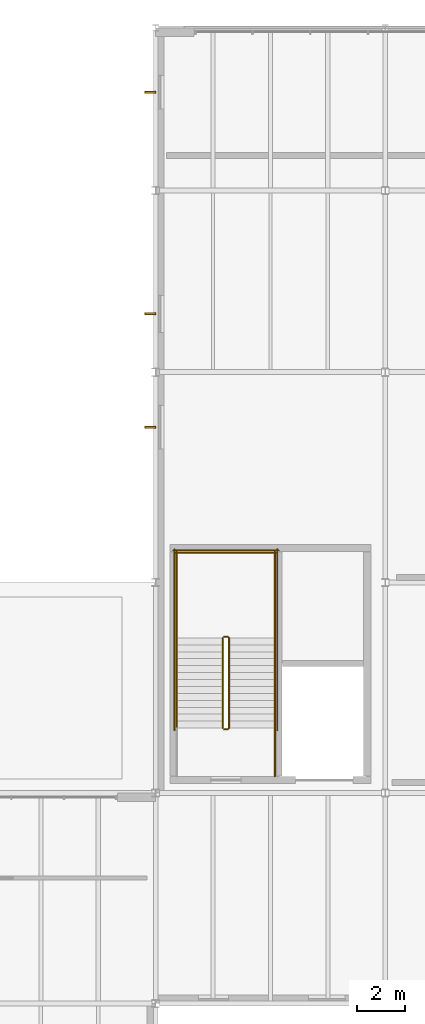
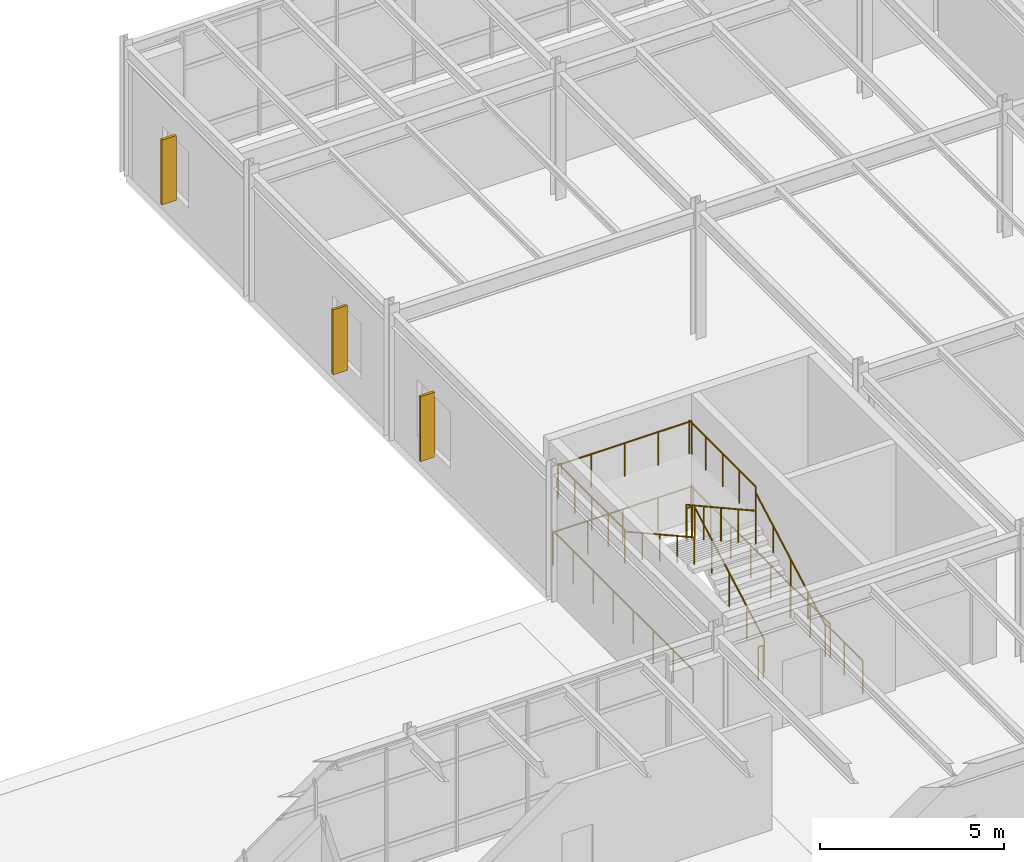
# One storey, part 65 of 69: 13 railings, 3 shading devices.
"""IFC4 building model written with IfcOpenShell, lengths in metres."""

from ifc_helpers import new_model, si_unit, direction, frame, origin, origin_2d, place, context, subcontext, project, spatial, rectangle, circle, extrude, material, layer, layer_set, type_object, element, save


model = new_model("IFC4")

# Units and contexts
model_context = context("Model", 3, precision=1e-05, world=origin(), true_north=direction((0.0, 1.0)))
body_context = subcontext(model_context, "Body", "Model", "MODEL_VIEW")
ifc_project = project(units=[si_unit("LENGTHUNIT", "METRE"), si_unit("AREAUNIT", "SQUARE_METRE"), si_unit("VOLUMEUNIT", "CUBIC_METRE"), si_unit("PLANEANGLEUNIT", "RADIAN"), si_unit("MASSUNIT", "GRAM", prefix="KILO")], contexts=[model_context])

# Site, building, storey
site_placement = place(None, origin())
site = spatial("IfcSite", under=ifc_project, at=site_placement, CompositionType="ELEMENT")
building_placement = place(site_placement, origin())
building = spatial("IfcBuilding", under=site, at=building_placement, Name="Sarnbrook Museum", CompositionType="ELEMENT")
storey_placement = place(building_placement, frame((0.0, 0.0, 14.60009765625)))
storey = spatial("IfcBuildingStorey", under=building, at=storey_placement, Name="L03", CompositionType="ELEMENT", Elevation=14.60009765625)

# Railings
ifc_material_1 = material(Name="Brushed Stainless Steel Grade 316", Category="steel")
ifc_layer_1 = layer(ifc_material_1, 0.050048828125)
ifc_layer_set_1 = layer_set([ifc_layer_1], Name="Brushed Stainless Steel Grade 316")
railing_type_1 = type_object("IfcRailingType", Name="Guard_Int1120", PredefinedType="BALUSTRADE", material=ifc_layer_set_1)
railing_1_placement = place(storey_placement, frame((45.469970703125, 85.919921875, 0.16064453125)))
element("IfcRailing", 1, at=railing_1_placement, inside=storey, type_object=railing_type_1, Name="L03 ST6 stair guard 1", PredefinedType="BALUSTRADE", context=body_context, shape_type="SweptSolid", body=[
    extrude(circle(Radius=0.02392578125, at=origin_2d()), frame((0.0, 0.0, 1.09619140625), z_axis=(0.0, 0.874659101714, 0.484738543742), x_axis=(-1.0, 0.0, 0.0)), (0.0, 0.0, 1.0), 4.310302734375),
    extrude(circle(Radius=0.02099609375, at=origin_2d()), origin(), (0.0, 0.0, 1.0), 1.072021484375),
    extrude(circle(Radius=0.02099609375, at=origin_2d()), frame((0.0, 0.9423828125, 0.5224609375)), (0.0, 0.0, 1.0), 1.072021484375),
    extrude(circle(Radius=0.02099609375, at=origin_2d()), frame((0.0, 1.885009765625, 1.044677734375)), (0.0, 0.0, 1.0), 1.072021484375),
    extrude(circle(Radius=0.02099609375, at=origin_2d()), frame((0.0, 2.82763671875, 1.56689453125)), (0.0, 0.0, 1.0), 1.072021484375),
    extrude(circle(Radius=0.02099609375, at=origin_2d()), frame((0.0, 3.77001953125, 2.08935546875)), (0.0, 0.0, 1.0), 1.072021484375),
])
railing_2_placement = place(storey_placement, frame((45.419921875, 89.739990234375, 2.25)))
element("IfcRailing", 2, at=railing_2_placement, inside=storey, type_object=railing_type_1, Name="L03 ST6 stair guard 2", PredefinedType="BALUSTRADE", context=body_context, shape_type="SweptSolid", body=[
    extrude(circle(Radius=0.02392578125, at=origin_2d()), frame((0.0, 0.0, 1.09619140625), z_axis=(-1.0, 0.0, 0.0), x_axis=(0.0, -1.0, 0.0)), (0.0, 0.0, 1.0), 0.159912109375),
    extrude(circle(Radius=0.02099609375, at=origin_2d()), origin(), (0.0, 0.0, 1.0), 1.072021484375),
    extrude(circle(Radius=0.02099609375, at=origin_2d()), frame((-0.159912109375, 0.0, 0.0)), (0.0, 0.0, 1.0), 1.072021484375),
])
for number, where, name in (
    (3, (47.389892578125, 89.68994140625, 2.25), "L03 ST6 stair guard 3"),
    (4, (43.2900390625, 89.68994140625, 2.25), "L03 ST6 stair guard 4"),
):
    element("IfcRailing", number, at=place(storey_placement, frame(where)), inside=storey, type_object=railing_type_1, Name=name, PredefinedType="BALUSTRADE", context=body_context, shape_type="SweptSolid", body=[
        extrude(circle(Radius=0.02392578125, at=origin_2d()), frame((0.0, 0.0, 1.09619140625), z_axis=(0.0, 1.0, 0.0), x_axis=(-1.0, 0.0, 0.0)), (0.0, 0.0, 1.0), 3.610107421875),
        extrude(circle(Radius=0.02099609375, at=origin_2d()), origin(), (0.0, 0.0, 1.0), 1.072021484375),
        extrude(circle(Radius=0.02099609375, at=origin_2d()), frame((0.0, 0.902587890625, 0.0)), (0.0, 0.0, 1.0), 1.072021484375),
        extrude(circle(Radius=0.02099609375, at=origin_2d()), frame((0.0, 1.80517578125, 0.0)), (0.0, 0.0, 1.0), 1.072021484375),
        extrude(circle(Radius=0.02099609375, at=origin_2d()), frame((0.0, 2.70751953125, 0.0)), (0.0, 0.0, 1.0), 1.072021484375),
        extrude(circle(Radius=0.02099609375, at=origin_2d()), frame((0.0, 3.610107421875, 0.0)), (0.0, 0.0, 1.0), 1.072021484375),
    ])
railing_3_placement = place(storey_placement, frame((47.43994140625, 93.25, 2.25)))
element("IfcRailing", 5, at=railing_3_placement, inside=storey, type_object=railing_type_1, Name="L03 ST6 stair guard 5", PredefinedType="BALUSTRADE", context=body_context, shape_type="SweptSolid", body=[
    extrude(circle(Radius=0.02392578125, at=origin_2d()), frame((0.0, 0.0, 1.09619140625), z_axis=(-1.0, 0.0, 0.0), x_axis=(0.0, -1.0, 0.0)), (0.0, 0.0, 1.0), 4.199951171875),
    extrude(circle(Radius=0.02099609375, at=origin_2d()), origin(), (0.0, 0.0, 1.0), 1.072021484375),
    extrude(circle(Radius=0.02099609375, at=origin_2d()), frame((-1.050048828125, 0.0, 0.0)), (0.0, 0.0, 1.0), 1.072021484375),
    extrude(circle(Radius=0.02099609375, at=origin_2d()), frame((-2.10009765625, 0.0, 0.0)), (0.0, 0.0, 1.0), 1.072021484375),
    extrude(circle(Radius=0.02099609375, at=origin_2d()), frame((-3.14990234375, 0.0, 0.0)), (0.0, 0.0, 1.0), 1.072021484375),
    extrude(circle(Radius=0.02099609375, at=origin_2d()), frame((-4.199951171875, 0.0, 0.0)), (0.0, 0.0, 1.0), 1.072021484375),
])
railing_4_placement = place(storey_placement, frame((45.2099609375, 89.68994140625, 2.41064453125)))
element("IfcRailing", 6, at=railing_4_placement, inside=storey, type_object=railing_type_1, Name="L03 ST6 stair guard 6", PredefinedType="BALUSTRADE", context=body_context, shape_type="SweptSolid", body=[
    extrude(circle(Radius=0.02392578125, at=origin_2d()), frame((0.0, 0.0, 1.09619140625), z_axis=(0.0, -0.874659101714, 0.484738543742), x_axis=(1.0, 0.0, 0.0)), (0.0, 0.0, 1.0), 4.310302734375),
    extrude(circle(Radius=0.02099609375, at=origin_2d()), origin(), (0.0, 0.0, 1.0), 1.072021484375),
    extrude(circle(Radius=0.02099609375, at=origin_2d()), frame((0.0, -0.9423828125, 0.5224609375)), (0.0, 0.0, 1.0), 1.072021484375),
    extrude(circle(Radius=0.02099609375, at=origin_2d()), frame((0.0, -1.885009765625, 1.044677734375)), (0.0, 0.0, 1.0), 1.072021484375),
    extrude(circle(Radius=0.02099609375, at=origin_2d()), frame((0.0, -2.82763671875, 1.56689453125)), (0.0, 0.0, 1.0), 1.072021484375),
    extrude(circle(Radius=0.02099609375, at=origin_2d()), frame((0.0, -3.77001953125, 2.08935546875)), (0.0, 0.0, 1.0), 1.072021484375),
])
railing_5_placement = place(storey_placement, frame((45.419921875, 85.8701171875, 0.0)))
element("IfcRailing", 7, at=railing_5_placement, inside=storey, type_object=railing_type_1, Name="L03 ST6 stair guard 7", PredefinedType="BALUSTRADE", context=body_context, shape_type="SweptSolid", body=[
    extrude(circle(Radius=0.02392578125, at=origin_2d()), frame((0.0, 0.0, 1.09619140625), z_axis=(-1.0, 0.0, 0.0), x_axis=(0.0, -1.0, 0.0)), (0.0, 0.0, 1.0), 0.159912109375),
    extrude(circle(Radius=0.02099609375, at=origin_2d()), origin(), (0.0, 0.0, 1.0), 1.072021484375),
    extrude(circle(Radius=0.02099609375, at=origin_2d()), frame((-0.159912109375, 0.0, 0.0)), (0.0, 0.0, 1.0), 1.072021484375),
])
railing_6_placement = place(storey_placement, frame((47.389892578125, 83.89990234375, 0.0)))
element("IfcRailing", 8, at=railing_6_placement, inside=storey, type_object=railing_type_1, Name="L03 ST6 stair guard 8", PredefinedType="BALUSTRADE", context=body_context, shape_type="SweptSolid", body=[
    extrude(circle(Radius=0.02392578125, at=origin_2d()), frame((0.0, 0.0, 1.09619140625), z_axis=(0.0, 1.0, 0.0), x_axis=(-1.0, 0.0, 0.0)), (0.0, 0.0, 1.0), 2.02001953125),
    extrude(circle(Radius=0.02099609375, at=origin_2d()), origin(), (0.0, 0.0, 1.0), 1.072021484375),
    extrude(circle(Radius=0.02099609375, at=origin_2d()), frame((0.0, 1.010009765625, 0.0)), (0.0, 0.0, 1.0), 1.072021484375),
    extrude(circle(Radius=0.02099609375, at=origin_2d()), frame((0.0, 2.02001953125, 0.0)), (0.0, 0.0, 1.0), 1.072021484375),
])
for number, where, name in (
    (9, (47.489990234375, 85.820068359375, 0.0), "L03 ST6 stair guard 10"),
    (10, (43.18994140625, 85.820068359375, 0.0), "L03 ST6 stair guard 11"),
):
    element("IfcRailing", number, at=place(storey_placement, frame(where)), inside=storey, type_object=railing_type_1, Name=name, PredefinedType="BALUSTRADE", context=body_context, shape_type="SweptSolid", body=[
        extrude(circle(Radius=0.02392578125, at=origin_2d()), frame((0.0, 0.0, 1.09619140625), z_axis=(0.0, 1.0, 0.0), x_axis=(-1.0, 0.0, 0.0)), (0.0, 0.0, 1.0), 7.579833984375),
        extrude(circle(Radius=0.02099609375, at=origin_2d()), origin(), (0.0, 0.0, 1.0), 1.072021484375),
        extrude(circle(Radius=0.02099609375, at=origin_2d()), frame((0.0, 1.082763671875, 0.0)), (0.0, 0.0, 1.0), 1.072021484375),
        extrude(circle(Radius=0.02099609375, at=origin_2d()), frame((0.0, 2.165771484375, 0.0)), (0.0, 0.0, 1.0), 1.072021484375),
        extrude(circle(Radius=0.02099609375, at=origin_2d()), frame((0.0, 3.24853515625, 0.0)), (0.0, 0.0, 1.0), 1.072021484375),
        extrude(circle(Radius=0.02099609375, at=origin_2d()), frame((0.0, 4.331298828125, 0.0)), (0.0, 0.0, 1.0), 1.072021484375),
        extrude(circle(Radius=0.02099609375, at=origin_2d()), frame((0.0, 5.4140625, 0.0)), (0.0, 0.0, 1.0), 1.072021484375),
        extrude(circle(Radius=0.02099609375, at=origin_2d()), frame((0.0, 6.4970703125, 0.0)), (0.0, 0.0, 1.0), 1.072021484375),
        extrude(circle(Radius=0.02099609375, at=origin_2d()), frame((0.0, 7.579833984375, 0.0)), (0.0, 0.0, 1.0), 1.072021484375),
    ])
railing_7_placement = place(storey_placement, frame((47.5400390625, 93.35009765625, 0.0)))
element("IfcRailing", 11, at=railing_7_placement, inside=storey, type_object=railing_type_1, Name="L03 ST6 stair guard 12", PredefinedType="BALUSTRADE", context=body_context, shape_type="SweptSolid", body=[
    extrude(circle(Radius=0.02392578125, at=origin_2d()), frame((0.0, 0.0, 1.09619140625), z_axis=(-1.0, 0.0, 0.0), x_axis=(0.0, -1.0, 0.0)), (0.0, 0.0, 1.0), 4.400146484375),
    extrude(circle(Radius=0.02099609375, at=origin_2d()), origin(), (0.0, 0.0, 1.0), 1.072021484375),
    extrude(circle(Radius=0.02099609375, at=origin_2d()), frame((-1.10009765625, 0.0, 0.0)), (0.0, 0.0, 1.0), 1.072021484375),
    extrude(circle(Radius=0.02099609375, at=origin_2d()), frame((-2.2001953125, 0.0, 0.0)), (0.0, 0.0, 1.0), 1.072021484375),
    extrude(circle(Radius=0.02099609375, at=origin_2d()), frame((-3.300048828125, 0.0, 0.0)), (0.0, 0.0, 1.0), 1.072021484375),
    extrude(circle(Radius=0.02099609375, at=origin_2d()), frame((-4.400146484375, 0.0, 0.0)), (0.0, 0.0, 1.0), 1.072021484375),
])
ifc_layer_2 = layer(ifc_material_1, 0.048095703125)
ifc_layer_set_2 = layer_set([ifc_layer_2], Name="Brushed Stainless Steel Grade 316")
railing_type_2 = type_object("IfcRailingType", Name="Handrail_920", PredefinedType="HANDRAIL", material=ifc_layer_set_2)
railing_8_placement = place(storey_placement, frame((47.389892578125, 85.919921875, 0.16064453125)))
element("IfcRailing", 12, at=railing_8_placement, inside=storey, type_object=railing_type_2, Name="L03 ST6 stair handrail 1", PredefinedType="HANDRAIL", context=body_context, shape_type="SweptSolid", body=[
    extrude(circle(Radius=0.02392578125, at=origin_2d()), frame((0.0, 0.0, 0.8857421875), z_axis=(0.0, 0.874659101714, 0.484738543742), x_axis=(-1.0, 0.0, 0.0)), (0.0, 0.0, 1.0), 4.310302734375),
    extrude(circle(Radius=0.02099609375, at=origin_2d()), origin(), (0.0, 0.0, 1.0), 0.86181640625),
    extrude(circle(Radius=0.02099609375, at=origin_2d()), frame((0.0, 0.9423828125, 0.5224609375)), (0.0, 0.0, 1.0), 0.86181640625),
    extrude(circle(Radius=0.02099609375, at=origin_2d()), frame((0.0, 1.885009765625, 1.044677734375)), (0.0, 0.0, 1.0), 0.86181640625),
    extrude(circle(Radius=0.02099609375, at=origin_2d()), frame((0.0, 2.82763671875, 1.56689453125)), (0.0, 0.0, 1.0), 0.86181640625),
    extrude(circle(Radius=0.02099609375, at=origin_2d()), frame((0.0, 3.77001953125, 2.08935546875)), (0.0, 0.0, 1.0), 0.86181640625),
])
railing_9_placement = place(storey_placement, frame((43.2900390625, 89.68994140625, 2.41064453125)))
element("IfcRailing", 13, at=railing_9_placement, inside=storey, type_object=railing_type_2, Name="L03 ST6 stair handrail 2", PredefinedType="HANDRAIL", context=body_context, shape_type="SweptSolid", body=[
    extrude(circle(Radius=0.02392578125, at=origin_2d()), frame((0.0, 0.0, 0.8857421875), z_axis=(0.0, -0.874659101714, 0.484738543742), x_axis=(1.0, 0.0, 0.0)), (0.0, 0.0, 1.0), 4.310302734375),
    extrude(circle(Radius=0.02099609375, at=origin_2d()), origin(), (0.0, 0.0, 1.0), 0.86181640625),
    extrude(circle(Radius=0.02099609375, at=origin_2d()), frame((0.0, -0.9423828125, 0.5224609375)), (0.0, 0.0, 1.0), 0.86181640625),
    extrude(circle(Radius=0.02099609375, at=origin_2d()), frame((0.0, -1.885009765625, 1.044677734375)), (0.0, 0.0, 1.0), 0.86181640625),
    extrude(circle(Radius=0.02099609375, at=origin_2d()), frame((0.0, -2.82763671875, 1.56689453125)), (0.0, 0.0, 1.0), 0.86181640625),
    extrude(circle(Radius=0.02099609375, at=origin_2d()), frame((0.0, -3.77001953125, 2.08935546875)), (0.0, 0.0, 1.0), 0.86181640625),
])

# Shading devices
ifc_material_2 = material(Name="Patinated Architectural Bronze")
shading_device_type = type_object("IfcShadingDeviceType", Name="SunFin_VerticalBronze", PredefinedType="USERDEFINED", material=ifc_material_2)
for number, where, z_axis, x_axis, name in (
    (14, (42.179931640625, 112.513916015625, 0.75), (0.0, 0.0, 1.0), (1.0, 0.0, 0.0), "Vertical Bronze Sun-Shading Fin SF-009"),
    (15, (42.179931640625, 103.239013671875, 0.75), (0.0, 0.0, 1.0), (1.0, 0.0, 0.0), "Vertical Bronze Sun-Shading Fin SF-010"),
    (16, (42.179931640625, 98.50390625, 0.75), (0.0, 0.0, 1.0), (1.0, 0.0, 0.0), "Vertical Bronze Sun-Shading Fin SF-011"),
):
    element("IfcShadingDevice", number, at=place(storey_placement, frame(where, z_axis=z_axis, x_axis=x_axis)), inside=storey, type_object=shading_device_type, Name=name, ObjectType="FIN", PredefinedType="USERDEFINED", context=body_context, shape_type="SweptSolid", body=[
        extrude(rectangle(XDim=0.449951171875, YDim=0.080078125, at=origin_2d()), origin(), (0.0, 0.0, 1.0), 2.14990234375),
    ])

save(model, "model.ifc")
